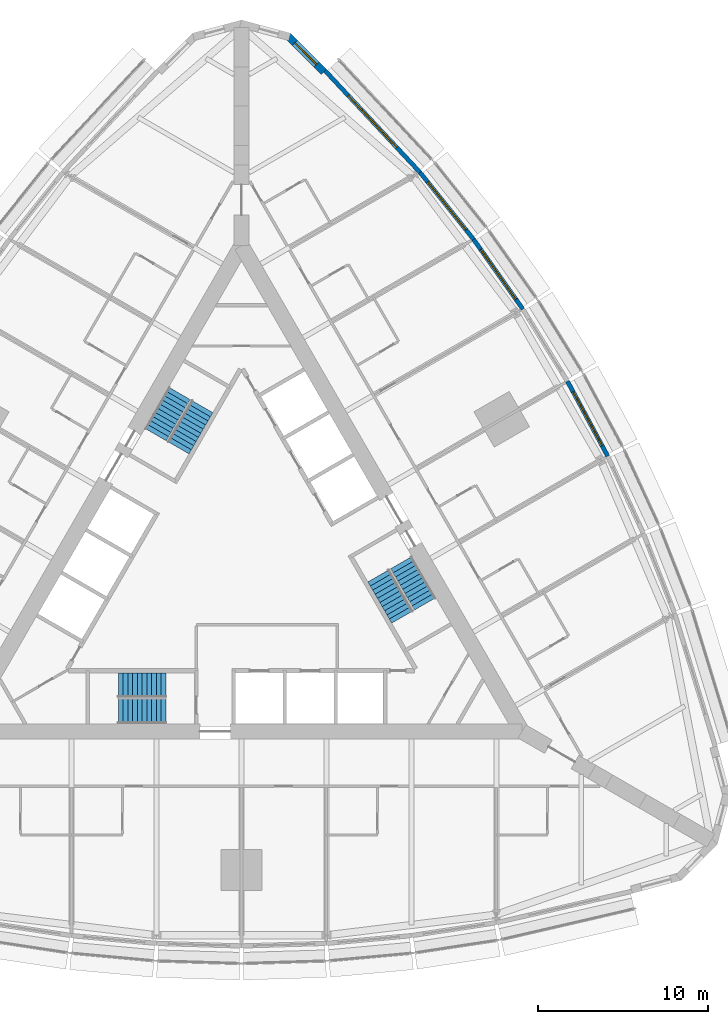
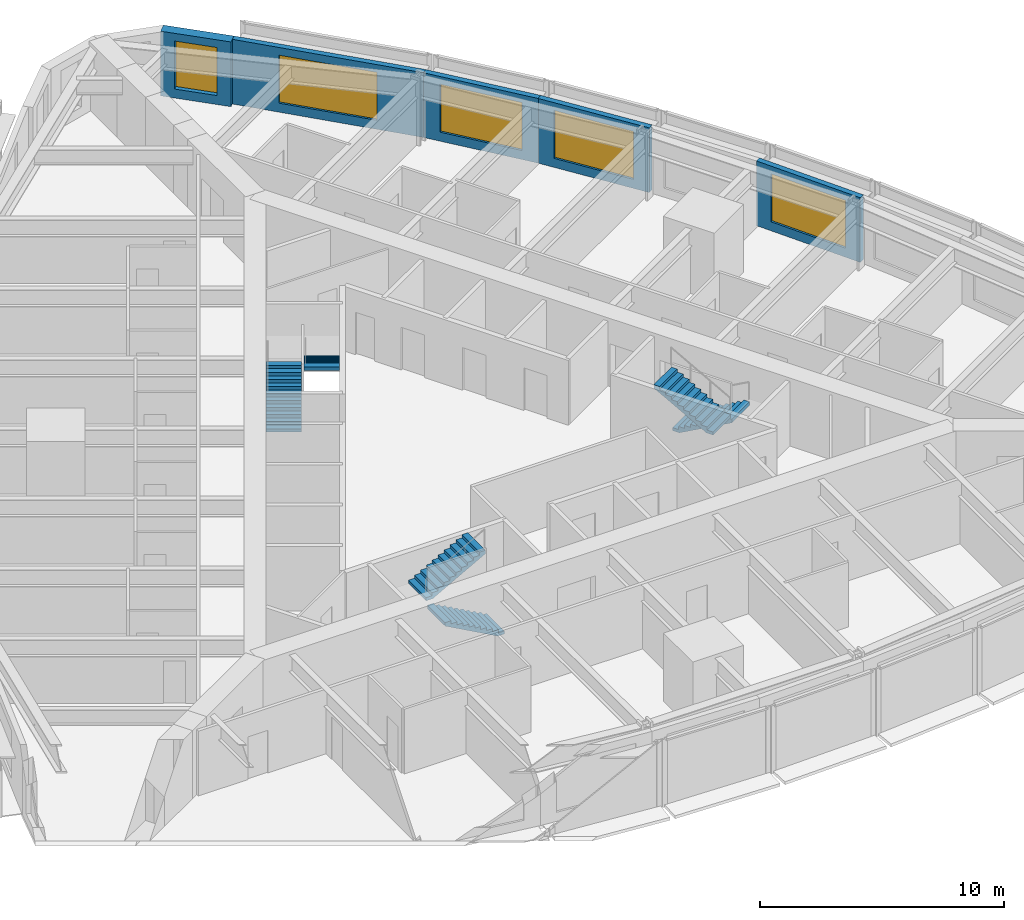
# One storey, part 13 of 14: 6 stair flights, 5 walls, 5 windows, 5 openings, 3 elements without a shape of their own.
"""IFC4 building model written with IfcOpenShell, lengths in metres."""

import ifcopenshell
import ifcopenshell.guid

model = None  # the IFC model being written
_history = None  # IfcOwnerHistory: only IFC2X3 demands one
_inside = {}  # id of a spatial element -> (the spatial element, [elements in it])
_under = {}  # id of a project, library or spatial element -> (it, [spatial elements below it])
_declared = {}  # id of a project -> (the project, [libraries it declares])
_typed = {}  # id of a type object -> (the type object, [elements of that type])
_made_of = {}  # id of a material, layer set ... -> (it, [elements and type objects made of it])


def new_model(schema):
    """Start an empty IFC model of exactly this schema.

    Asked for "IFC4X3", IfcOpenShell would pick the latest addendum, in which some entities
    have other attributes; the version numbers below select the first issue.
    IFC2X3 requires an IfcOwnerHistory on every rooted entity: one is made here for all.
    """
    global model, _history
    if schema == "IFC4X3":
        model = ifcopenshell.file(schema_version=(4, 3, 0, 0))
    else:
        model = ifcopenshell.file(schema=schema)
    _inside.clear()
    _under.clear()
    _declared.clear()
    _typed.clear()
    _made_of.clear()
    _history = None
    if model.schema == "IFC2X3":
        org = make("IfcOrganization", Name="unknown")
        user = make(
            "IfcPersonAndOrganization",
            ThePerson=make("IfcPerson", FamilyName="unknown"),
            TheOrganization=org,
        )
        app = make(
            "IfcApplication",
            ApplicationDeveloper=org,
            Version="unknown",
            ApplicationFullName="unknown",
            ApplicationIdentifier="unknown",
        )
        _history = make(
            "IfcOwnerHistory",
            OwningUser=user,
            OwningApplication=app,
            ChangeAction="ADDED",
            CreationDate=0,
        )
    return model


def make(cls, **values):
    """One entity of the class cls with the attributes given. An attribute that is None is left unset."""
    return model.create_entity(
        cls, **{name: value for name, value in values.items() if value is not None}
    )


def rooted(cls, **values):
    """An entity with a GlobalId (a new one), such as an element, a storey or a relation."""
    return make(cls, GlobalId=ifcopenshell.guid.new(), OwnerHistory=_history, **values)


def si_unit(unit_type, name, prefix=None):
    """IfcSIUnit, for example si_unit("LENGTHUNIT", "METRE", prefix="MILLI")."""
    return make("IfcSIUnit", UnitType=unit_type, Prefix=prefix, Name=name)


def assignment(units):
    """IfcUnitAssignment: the units of a project."""
    return None if units is None else make("IfcUnitAssignment", Units=units)


def point(xyz):
    """IfcCartesianPoint."""
    return None if xyz is None else make("IfcCartesianPoint", Coordinates=xyz)


def direction(xyz):
    """IfcDirection."""
    return None if xyz is None else make("IfcDirection", DirectionRatios=xyz)


def frame(location, z_axis=None, x_axis=None):
    """IfcAxis2Placement3D, a coordinate frame: its origin and axes. An axis left out is left unset."""
    return make(
        "IfcAxis2Placement3D",
        Location=point(location),
        Axis=direction(z_axis),
        RefDirection=direction(x_axis),
    )


def frame_2d(location, x_axis=None):
    """IfcAxis2Placement2D, a coordinate frame in the plane: its origin and x axis."""
    return make(
        "IfcAxis2Placement2D", Location=point(location), RefDirection=direction(x_axis)
    )


def origin():
    """The frame at (0, 0, 0) with its axes left unset."""
    return frame((0.0, 0.0, 0.0))


def place(relative_to, where):
    """IfcLocalPlacement: puts the frame where relative to a parent placement (None: the world)."""
    return make(
        "IfcLocalPlacement", PlacementRelTo=relative_to, RelativePlacement=where
    )


def context(
    kind, dimensions, precision=None, world=None, true_north=None, identifier=None
):
    """IfcGeometricRepresentationContext, for example the 3D "Model" context."""
    return make(
        "IfcGeometricRepresentationContext",
        ContextIdentifier=identifier,
        ContextType=kind,
        CoordinateSpaceDimension=dimensions,
        Precision=precision,
        WorldCoordinateSystem=world,
        TrueNorth=true_north,
    )


def subcontext(parent, identifier, kind, view, scale=None):
    """IfcGeometricRepresentationSubContext, for example "Body" below "Model"."""
    return make(
        "IfcGeometricRepresentationSubContext",
        ContextIdentifier=identifier,
        ContextType=kind,
        ParentContext=parent,
        TargetScale=scale,
        TargetView=view,
    )


def project(units=None, contexts=None):
    """IfcProject with its units and contexts."""
    return rooted(
        "IfcProject",
        Name="project",
        RepresentationContexts=contexts,
        UnitsInContext=assignment(units),
    )


def spatial(cls, under=None, at=None, **own):
    """A site, building, storey or space (cls), placed at a placement, below another one or the project."""
    s = rooted(cls, ObjectPlacement=at, **own)
    if under is not None:
        _under.setdefault(under.id(), (under, []))[1].append(s)
    return s


def polyline(points):
    """IfcPolyline through the points."""
    return make("IfcPolyline", Points=[point(p) for p in points])


def profile(cls, at=None, kind="AREA", **sizes):
    """A parametric profile (cls). Its sizes go by their IFC names, for example OverallWidth=200.0."""
    return make(cls, ProfileType=kind, Position=at, **sizes)


def rectangle(**sizes):
    """IfcRectangleProfileDef."""
    return profile("IfcRectangleProfileDef", **sizes)


def outline(outer, holes=None, kind="AREA"):
    """IfcArbitraryClosedProfileDef: a profile drawn as a closed curve; with holes, ...WithVoids."""
    if holes is None:
        return make("IfcArbitraryClosedProfileDef", ProfileType=kind, OuterCurve=outer)
    return make(
        "IfcArbitraryProfileDefWithVoids",
        ProfileType=kind,
        OuterCurve=outer,
        InnerCurves=holes,
    )


def extrude(swept, where, along, depth):
    """IfcExtrudedAreaSolid: the profile swept, set in the frame where, extruded along a direction by depth."""
    return make(
        "IfcExtrudedAreaSolid",
        SweptArea=swept,
        Position=where,
        ExtrudedDirection=direction(along),
        Depth=depth,
    )


def shape(context_of_items, identifier, shape_type, items):
    """IfcShapeRepresentation: the items that make up one representation, for example the "Body"."""
    return make(
        "IfcShapeRepresentation",
        ContextOfItems=context_of_items,
        RepresentationIdentifier=identifier,
        RepresentationType=shape_type,
        Items=items,
    )


def material(Name=None, Category=None):
    """IfcMaterial."""
    return make("IfcMaterial", Name=Name, Category=Category)


def layer(
    of_material, thickness, ventilated=None, Name=None, Category=None, Priority=None
):
    """IfcMaterialLayer: one layer of a wall or slab, of a material (None: an air gap)."""
    return make(
        "IfcMaterialLayer",
        Material=of_material,
        LayerThickness=thickness,
        IsVentilated=ventilated,
        Name=Name,
        Category=Category,
        Priority=Priority,
    )


def layer_set(layers, Name=None):
    """IfcMaterialLayerSet."""
    return make("IfcMaterialLayerSet", MaterialLayers=layers, LayerSetName=Name)


def made_of(thing, what):
    """Note that an element or type object is made of a material, layer set ...; save() writes the relation."""
    if what is not None:
        _made_of.setdefault(what.id(), (what, []))[1].append(thing)
    return thing


def type_object(cls, material=None, **own):
    """A type object (cls), such as IfcWallType, which elements share."""
    return made_of(rooted(cls, **own), material)


def element(
    cls,
    number,
    at=None,
    inside=None,
    cuts=None,
    type_object=None,
    material=None,
    context=None,
    identifier="Body",
    shape_type=None,
    held_by="IfcProductDefinitionShape",
    body=None,
    shapes=None,
    **own,
):
    """One element of the class cls, such as IfcWall. Its Tag is "e" and its number.

    at: its placement. inside: the storey or other place that contains it. cuts: it is an
    opening in that element (IfcRelVoidsElement). A single representation is given by context,
    identifier, shape_type and body (its items); several are given by shapes. held_by: the class
    of the entity that holds the representations. save() writes the other relations.
    """
    e = rooted(cls, Tag="e%d" % number, ObjectPlacement=at, **own)
    if body is not None:
        shapes = [shape(context, identifier, shape_type, body)]
    if shapes is not None:
        e.Representation = make(held_by, Representations=shapes)
    if inside is not None:
        _inside.setdefault(inside.id(), (inside, []))[1].append(e)
    if cuts is not None:
        rooted(
            "IfcRelVoidsElement", RelatingBuildingElement=cuts, RelatedOpeningElement=e
        )
    if type_object is not None:
        _typed.setdefault(type_object.id(), (type_object, []))[1].append(e)
    return made_of(e, material)


def fill(opening, filler):
    """IfcRelFillsElement: the door or window that sits in an opening."""
    return rooted(
        "IfcRelFillsElement",
        RelatingOpeningElement=opening,
        RelatedBuildingElement=filler,
    )


def aggregate(whole, parts):
    """IfcRelAggregates: a whole, such as a stair, and the parts it consists of."""
    return rooted("IfcRelAggregates", RelatingObject=whole, RelatedObjects=parts)


def save(model, path):
    """Write the relations noted so far, then the file.

    IfcRelAggregates (storeys below a building ...), IfcRelContainedInSpatialStructure (elements
    in a storey), IfcRelDefinesByType, IfcRelAssociatesMaterial and IfcRelDeclares: one each for
    every whole, place, type object, material and project.
    """
    for whole, parts in _under.values():
        aggregate(whole, parts)
    for where, things in _inside.values():
        rooted(
            "IfcRelContainedInSpatialStructure",
            RelatedElements=things,
            RelatingStructure=where,
        )
    for kind, things in _typed.values():
        rooted("IfcRelDefinesByType", RelatedObjects=things, RelatingType=kind)
    for what, things in _made_of.values():
        rooted("IfcRelAssociatesMaterial", RelatedObjects=things, RelatingMaterial=what)
    for by, libraries in _declared.values():
        rooted("IfcRelDeclares", RelatingContext=by, RelatedDefinitions=libraries)
    model.write(path)


model = new_model("IFC4")

# Units and contexts
model_context = context("Model", 3, precision=1e-05, world=origin(), true_north=direction((0.0, 1.0)))
body_context = subcontext(model_context, "Body", "Model", "MODEL_VIEW")
ifc_project = project(units=[si_unit("LENGTHUNIT", "METRE"), si_unit("AREAUNIT", "SQUARE_METRE"), si_unit("VOLUMEUNIT", "CUBIC_METRE"), si_unit("PLANEANGLEUNIT", "RADIAN"), si_unit("MASSUNIT", "GRAM", prefix="KILO")], contexts=[model_context])

# Site, building, storey
site_placement = place(None, origin())
site = spatial("IfcSite", under=ifc_project, at=site_placement, CompositionType="ELEMENT")
building_placement = place(site_placement, origin())
building = spatial("IfcBuilding", under=site, at=building_placement, Name="Trikona Tower", CompositionType="ELEMENT")
storey_placement = place(building_placement, frame((0.0, 0.0, 52.300048828125)))
storey = spatial("IfcBuildingStorey", under=building, at=storey_placement, Name="L12", CompositionType="ELEMENT", Elevation=52.300048828125)

# Wall, opening, window
ifc_material_1 = material(Name="Brick-faced precast concrete", Category="masonry")
ifc_layer_1 = layer(ifc_material_1, 0.449951171875)
ifc_layer_set_1 = layer_set([ifc_layer_1], Name="Brick-faced corner wall 450")
wall_type_1 = type_object("IfcWallType", Name="Brick-faced corner wall 450", PredefinedType="SOLIDWALL", material=ifc_layer_set_1)
wall_1_placement = place(storey_placement, frame((4.8408203125, 29.285888671875, 0.0), z_axis=(0.0, 0.0, 1.0), x_axis=(-0.707106781187, 0.707106781187, 0.0)))
wall_1 = element("IfcWall", 1, at=wall_1_placement, inside=storey, type_object=wall_type_1, Name="External wall L12-20", PredefinedType="SOLIDWALL", context=body_context, shape_type="SweptSolid", body=[
    extrude(rectangle(XDim=2.98828125, YDim=0.449951171875, at=frame_2d((1.494140625, 0.0))), origin(), (0.0, 0.0, 1.0), 3.23486328125),
])
opening_1_placement = place(wall_1_placement, frame((0.59423828125, 0.0, 0.449951171875)))
opening_1 = element("IfcOpeningElement", 2, at=opening_1_placement, cuts=wall_1, Name="Opening W1824", PredefinedType="OPENING", context=body_context, shape_type="SweptSolid", body=[
    extrude(rectangle(XDim=1.800048828125, YDim=2.39990234375, at=frame_2d((0.89990234375, 1.199951171875))), frame((0.0, 0.23486328125, 0.0), z_axis=(0.0, -1.0, 0.0), x_axis=(1.0, 0.0, 0.0)), (0.0, 0.0, 1.0), 0.469970703125),
])
ifc_material_2 = material(Name="Aluminium-framed double glazing", Category="aluminium")
window_type_1 = type_object("IfcWindowType", Name="Window 1800x2400", PartitioningType="SINGLE_PANEL", PredefinedType="WINDOW", material=ifc_material_2)
window_1_placement = place(opening_1_placement, origin())
window_1 = element("IfcWindow", 3, at=window_1_placement, inside=storey, type_object=window_type_1, Name="Window 1210", OverallHeight=2.39990234375, OverallWidth=1.800048828125, PartitioningType="SINGLE_PANEL", PredefinedType="WINDOW", context=body_context, shape_type="SweptSolid", body=[
    extrude(rectangle(XDim=1.800048828125, YDim=2.39990234375, at=frame_2d((0.89990234375, 1.199951171875))), frame((0.0, 0.030029296875, 0.0), z_axis=(0.0, -1.0, 0.0), x_axis=(1.0, 0.0, 0.0)), (0.0, 0.0, 1.0), 0.06005859375),
])
fill(opening_1, window_1)

ifc_material_3 = material(Name="Insulated precast concrete spandrel panel", Category="concrete")
ifc_layer_2 = layer(ifc_material_3, 0.25)
ifc_layer_set_2 = layer_set([ifc_layer_2], Name="Inner skin wall 250")
wall_type_2 = type_object("IfcWallType", Name="Inner skin wall 250", PredefinedType="STANDARD", material=ifc_layer_set_2)
wall_2_placement = place(storey_placement, frame((21.546630859375, 6.6708984375, 0.0), z_axis=(0.0, 0.0, 1.0), x_axis=(-0.473412820489, 0.880840678782, 0.0)))
wall_2 = element("IfcWall", 4, at=wall_2_placement, inside=storey, type_object=wall_type_2, Name="External wall L12-15", PredefinedType="STANDARD", context=body_context, shape_type="SweptSolid", body=[
    extrude(rectangle(XDim=5.00244140625, YDim=0.25, at=frame_2d((2.501220703125, 0.0))), origin(), (0.0, 0.0, 1.0), 3.23486328125),
])
opening_2_placement = place(wall_2_placement, frame((0.701171875, 0.0, 0.449951171875)))
opening_2 = element("IfcOpeningElement", 5, at=opening_2_placement, cuts=wall_2, Name="Opening W3624", PredefinedType="OPENING", context=body_context, shape_type="SweptSolid", body=[
    extrude(rectangle(XDim=3.60009765625, YDim=2.39990234375, at=frame_2d((1.800048828125, 1.199951171875))), frame((0.0, 0.135009765625, 0.0), z_axis=(0.0, -1.0, 0.0), x_axis=(1.0, 0.0, 0.0)), (0.0, 0.0, 1.0), 0.27001953125),
])
ifc_material_4 = material(Name="Aluminium-framed double glazing", Category="aluminium")
window_type_2 = type_object("IfcWindowType", Name="Window 3600x2400", PartitioningType="SINGLE_PANEL", PredefinedType="WINDOW", material=ifc_material_4)
window_2_placement = place(opening_2_placement, origin())
window_2 = element("IfcWindow", 6, at=window_2_placement, inside=storey, type_object=window_type_2, Name="Window 1207", OverallHeight=2.39990234375, OverallWidth=3.60009765625, PartitioningType="SINGLE_PANEL", PredefinedType="WINDOW", context=body_context, shape_type="SweptSolid", body=[
    extrude(rectangle(XDim=3.60009765625, YDim=2.39990234375, at=frame_2d((1.800048828125, 1.199951171875))), frame((0.0, 0.030029296875, 0.0), z_axis=(0.0, -1.0, 0.0), x_axis=(1.0, 0.0, 0.0)), (0.0, 0.0, 1.0), 0.06005859375),
])
fill(opening_2, window_2)

wall_3_placement = place(storey_placement, frame((16.5546875, 15.318115234375, 0.0), z_axis=(0.0, 0.0, 1.0), x_axis=(-0.5766431066, 0.81699616132, 0.0)))
wall_3 = element("IfcWall", 7, at=wall_3_placement, inside=storey, type_object=wall_type_2, Name="External wall L12-17", PredefinedType="STANDARD", context=body_context, shape_type="SweptSolid", body=[
    extrude(rectangle(XDim=5.02099609375, YDim=0.25, at=frame_2d((2.510498046875, 0.0))), origin(), (0.0, 0.0, 1.0), 3.23486328125),
])
opening_3_placement = place(wall_3_placement, frame((0.71044921875, 0.0, 0.449951171875)))
opening_3 = element("IfcOpeningElement", 8, at=opening_3_placement, cuts=wall_3, Name="Opening W3624", PredefinedType="OPENING", context=body_context, shape_type="SweptSolid", body=[
    extrude(rectangle(XDim=3.60009765625, YDim=2.39990234375, at=frame_2d((1.800048828125, 1.199951171875))), frame((0.0, 0.135009765625, 0.0), z_axis=(0.0, -1.0, 0.0), x_axis=(1.0, 0.0, 0.0)), (0.0, 0.0, 1.0), 0.27001953125),
])
window_3_placement = place(opening_3_placement, origin())
window_3 = element("IfcWindow", 9, at=window_3_placement, inside=storey, type_object=window_type_2, Name="Window 1208.1", OverallHeight=2.39990234375, OverallWidth=3.60009765625, PartitioningType="SINGLE_PANEL", PredefinedType="WINDOW", context=body_context, shape_type="SweptSolid", body=[
    extrude(rectangle(XDim=3.60009765625, YDim=2.39990234375, at=frame_2d((1.800048828125, 1.199951171875))), frame((0.0, 0.030029296875, 0.0), z_axis=(0.0, -1.0, 0.0), x_axis=(1.0, 0.0, 0.0)), (0.0, 0.0, 1.0), 0.06005859375),
])
fill(opening_3, window_3)

wall_4_placement = place(storey_placement, frame((13.663818359375, 19.4140625, 0.0), z_axis=(0.0, 0.0, 1.0), x_axis=(-0.624594965756, 0.780948864364, 0.0)))
wall_4 = element("IfcWall", 10, at=wall_4_placement, inside=storey, type_object=wall_type_2, Name="External wall L12-18", PredefinedType="STANDARD", context=body_context, shape_type="SweptSolid", body=[
    extrude(rectangle(XDim=5.0576171875, YDim=0.25, at=frame_2d((2.52880859375, 0.0))), origin(), (0.0, 0.0, 1.0), 3.23486328125),
])
opening_4_placement = place(wall_4_placement, frame((0.728759765625, 0.0, 0.449951171875)))
opening_4 = element("IfcOpeningElement", 11, at=opening_4_placement, cuts=wall_4, Name="Opening W3624", PredefinedType="OPENING", context=body_context, shape_type="SweptSolid", body=[
    extrude(rectangle(XDim=3.60009765625, YDim=2.39990234375, at=frame_2d((1.800048828125, 1.199951171875))), frame((0.0, 0.135009765625, 0.0), z_axis=(0.0, -1.0, 0.0), x_axis=(1.0, 0.0, 0.0)), (0.0, 0.0, 1.0), 0.27001953125),
])
window_4_placement = place(opening_4_placement, origin())
window_4 = element("IfcWindow", 12, at=window_4_placement, inside=storey, type_object=window_type_2, Name="Window 1209", OverallHeight=2.39990234375, OverallWidth=3.60009765625, PartitioningType="SINGLE_PANEL", PredefinedType="WINDOW", context=body_context, shape_type="SweptSolid", body=[
    extrude(rectangle(XDim=3.60009765625, YDim=2.39990234375, at=frame_2d((1.800048828125, 1.199951171875))), frame((0.0, 0.030029296875, 0.0), z_axis=(0.0, -1.0, 0.0), x_axis=(1.0, 0.0, 0.0)), (0.0, 0.0, 1.0), 0.06005859375),
])
fill(opening_4, window_4)

wall_5_placement = place(storey_placement, frame((10.510986328125, 23.356689453125, 0.0), z_axis=(0.0, 0.0, 1.0), x_axis=(-0.682289646561, 0.731081964075, 0.0)))
wall_5 = element("IfcWall", 13, at=wall_5_placement, inside=storey, type_object=wall_type_2, Name="External wall L12-19", PredefinedType="STANDARD", context=body_context, shape_type="SweptSolid", body=[
    extrude(rectangle(XDim=8.2109375, YDim=0.25, at=frame_2d((4.10546875, 0.0))), origin(), (0.0, 0.0, 1.0), 3.23486328125),
])
opening_5_placement = place(wall_5_placement, frame((2.005615234375, 0.0, 0.449951171875)))
opening_5 = element("IfcOpeningElement", 14, at=opening_5_placement, cuts=wall_5, Name="Opening W4224", PredefinedType="OPENING", context=body_context, shape_type="SweptSolid", body=[
    extrude(rectangle(XDim=4.199951171875, YDim=2.39990234375, at=frame_2d((2.10009765625, 1.199951171875))), frame((0.0, 0.135009765625, 0.0), z_axis=(0.0, -1.0, 0.0), x_axis=(1.0, 0.0, 0.0)), (0.0, 0.0, 1.0), 0.27001953125),
])
ifc_material_5 = material(Name="Aluminium-framed double glazing", Category="aluminium")
window_type_3 = type_object("IfcWindowType", Name="Window 4200x2400", PartitioningType="SINGLE_PANEL", PredefinedType="WINDOW", material=ifc_material_5)
window_5_placement = place(opening_5_placement, origin())
window_5 = element("IfcWindow", 15, at=window_5_placement, inside=storey, type_object=window_type_3, Name="Window 1210", OverallHeight=2.39990234375, OverallWidth=4.199951171875, PartitioningType="SINGLE_PANEL", PredefinedType="WINDOW", context=body_context, shape_type="SweptSolid", body=[
    extrude(rectangle(XDim=4.199951171875, YDim=2.39990234375, at=frame_2d((2.10009765625, 1.199951171875))), frame((0.0, 0.030029296875, 0.0), z_axis=(0.0, -1.0, 0.0), x_axis=(1.0, 0.0, 0.0)), (0.0, 0.0, 1.0), 0.06005859375),
])
fill(opening_5, window_5)

# Stair, stair flights
ifc_material_6 = material(Name="Concrete f'c 5000 psi", Category="concrete")
stair_type = type_object("IfcStairType", Name="Core stair", PredefinedType="HALF_TURN_STAIR", material=ifc_material_6)
stair_1_placement = place(storey_placement, origin())
stair_1 = element("IfcStair", 16, at=stair_1_placement, inside=storey, type_object=stair_type, Name="Stair A L12", PredefinedType="HALF_TURN_STAIR")
ifc_material_7 = material(Name="Concrete f'c 5000 psi", Category="concrete")
stair_flight_type = type_object("IfcStairFlightType", Name="Core stair flight 1450", PredefinedType="STRAIGHT", material=ifc_material_7)
stair_flight_1_placement = place(storey_placement, frame((-4.449951171875, -8.351318359375, 0.0), z_axis=(0.0, 0.0, 1.0), x_axis=(-1.0, 0.0, 0.0)))
stair_flight_1 = element("IfcStairFlight", 17, at=stair_flight_1_placement, type_object=stair_flight_type, Name="ST-A flight 1", NumberOfRisers=11, NumberOfTreads=10, PredefinedType="STRAIGHT", RiserHeight=0.154545, TreadLength=0.28, context=body_context, shape_type="SweptSolid", body=[
    extrude(outline(polyline([(0.0, 0.0), (0.0, 0.154541015625), (0.280029296875, 0.154541015625), (0.280029296875, 0.30908203125), (0.56005859375, 0.30908203125), (0.56005859375, 0.463623046875), (0.840087890625, 0.463623046875), (0.840087890625, 0.6181640625), (1.1201171875, 0.6181640625), (1.1201171875, 0.772705078125), (1.39990234375, 0.772705078125), (1.39990234375, 0.92724609375), (1.679931640625, 0.92724609375), (1.679931640625, 1.081787109375), (1.9599609375, 1.081787109375), (1.9599609375, 1.236328125), (2.239990234375, 1.236328125), (2.239990234375, 1.390869140625), (2.52001953125, 1.390869140625), (2.52001953125, 1.54541015625), (2.800048828125, 1.54541015625), (2.800048828125, 1.699951171875), (2.800048828125, 1.374267578125), (0.310302734375, 0.0), (0.0, 0.0)])), frame((0.0, 0.72509765625, 0.0), z_axis=(0.0, -1.0, 0.0), x_axis=(1.0, 0.0, 0.0)), (0.0, 0.0, 1.0), 1.449951171875),
])
stair_flight_2_placement = place(storey_placement, frame((-7.25, -6.80126953125, 1.699951171875), z_axis=(0.0, 0.0, 1.0), x_axis=(1.0, 0.0, 0.0)))
stair_flight_2 = element("IfcStairFlight", 18, at=stair_flight_2_placement, type_object=stair_flight_type, Name="ST-A flight 2", NumberOfRisers=11, NumberOfTreads=10, PredefinedType="STRAIGHT", RiserHeight=0.154545, TreadLength=0.28, context=body_context, shape_type="SweptSolid", body=[
    extrude(outline(polyline([(0.0, 0.0), (0.0, 0.154541015625), (0.280029296875, 0.154541015625), (0.280029296875, 0.30908203125), (0.56005859375, 0.30908203125), (0.56005859375, 0.463623046875), (0.840087890625, 0.463623046875), (0.840087890625, 0.6181640625), (1.1201171875, 0.6181640625), (1.1201171875, 0.772705078125), (1.39990234375, 0.772705078125), (1.39990234375, 0.92724609375), (1.679931640625, 0.92724609375), (1.679931640625, 1.081787109375), (1.9599609375, 1.081787109375), (1.9599609375, 1.236328125), (2.239990234375, 1.236328125), (2.239990234375, 1.390869140625), (2.52001953125, 1.390869140625), (2.52001953125, 1.54541015625), (2.800048828125, 1.54541015625), (2.800048828125, 1.699951171875), (2.800048828125, 1.374267578125), (0.310302734375, 0.0), (0.0, 0.0)])), frame((0.0, 0.72509765625, 0.0), z_axis=(0.0, -1.0, 0.0), x_axis=(1.0, 0.0, 0.0)), (0.0, 0.0, 1.0), 1.449951171875),
])
aggregate(stair_1, [stair_flight_1, stair_flight_2])

stair_2_placement = place(storey_placement, origin())
stair_2 = element("IfcStair", 19, at=stair_2_placement, inside=storey, type_object=stair_type, Name="Stair B L12", PredefinedType="HALF_TURN_STAIR")
stair_flight_3_placement = place(storey_placement, frame((9.407470703125, 0.408447265625, 0.0), z_axis=(0.0, 0.0, 1.0), x_axis=(0.5, -0.866025403784, 0.0)))
stair_flight_3 = element("IfcStairFlight", 20, at=stair_flight_3_placement, type_object=stair_flight_type, Name="ST-B flight 1", NumberOfRisers=11, NumberOfTreads=10, PredefinedType="STRAIGHT", RiserHeight=0.154545, TreadLength=0.28, context=body_context, shape_type="SweptSolid", body=[
    extrude(outline(polyline([(0.0, 0.0), (0.0, 0.154541015625), (0.280029296875, 0.154541015625), (0.280029296875, 0.30908203125), (0.56005859375, 0.30908203125), (0.56005859375, 0.463623046875), (0.840087890625, 0.463623046875), (0.840087890625, 0.6181640625), (1.1201171875, 0.6181640625), (1.1201171875, 0.772705078125), (1.39990234375, 0.772705078125), (1.39990234375, 0.92724609375), (1.679931640625, 0.92724609375), (1.679931640625, 1.081787109375), (1.9599609375, 1.081787109375), (1.9599609375, 1.236328125), (2.239990234375, 1.236328125), (2.239990234375, 1.390869140625), (2.52001953125, 1.390869140625), (2.52001953125, 1.54541015625), (2.800048828125, 1.54541015625), (2.800048828125, 1.699951171875), (2.800048828125, 1.374267578125), (0.310302734375, 0.0), (0.0, 0.0)])), frame((0.0, 0.72509765625, 0.0), z_axis=(0.0, -1.0, 0.0), x_axis=(1.0, 0.0, 0.0)), (0.0, 0.0, 1.0), 1.449951171875),
])
stair_flight_4_placement = place(storey_placement, frame((9.465087890625, -2.79150390625, 1.699951171875), z_axis=(0.0, 0.0, 1.0), x_axis=(-0.5, 0.866025403784, 0.0)))
stair_flight_4 = element("IfcStairFlight", 21, at=stair_flight_4_placement, type_object=stair_flight_type, Name="ST-B flight 2", NumberOfRisers=11, NumberOfTreads=10, PredefinedType="STRAIGHT", RiserHeight=0.154545, TreadLength=0.28, context=body_context, shape_type="SweptSolid", body=[
    extrude(outline(polyline([(0.0, 0.0), (0.0, 0.154541015625), (0.280029296875, 0.154541015625), (0.280029296875, 0.30908203125), (0.56005859375, 0.30908203125), (0.56005859375, 0.463623046875), (0.840087890625, 0.463623046875), (0.840087890625, 0.6181640625), (1.1201171875, 0.6181640625), (1.1201171875, 0.772705078125), (1.39990234375, 0.772705078125), (1.39990234375, 0.92724609375), (1.679931640625, 0.92724609375), (1.679931640625, 1.081787109375), (1.9599609375, 1.081787109375), (1.9599609375, 1.236328125), (2.239990234375, 1.236328125), (2.239990234375, 1.390869140625), (2.52001953125, 1.390869140625), (2.52001953125, 1.54541015625), (2.800048828125, 1.54541015625), (2.800048828125, 1.699951171875), (2.800048828125, 1.374267578125), (0.310302734375, 0.0), (0.0, 0.0)])), frame((0.0, 0.72509765625, 0.0), z_axis=(0.0, -1.0, 0.0), x_axis=(1.0, 0.0, 0.0)), (0.0, 0.0, 1.0), 1.449951171875),
])
aggregate(stair_2, [stair_flight_3, stair_flight_4])

stair_3_placement = place(storey_placement, origin())
stair_3 = element("IfcStair", 22, at=stair_3_placement, inside=storey, type_object=stair_type, Name="Stair C L12", PredefinedType="HALF_TURN_STAIR")
stair_flight_5_placement = place(storey_placement, frame((-5.057373046875, 7.94287109375, 0.0), z_axis=(0.0, 0.0, 1.0), x_axis=(0.5, 0.866025403784, 0.0)))
stair_flight_5 = element("IfcStairFlight", 23, at=stair_flight_5_placement, type_object=stair_flight_type, Name="ST-C flight 1", NumberOfRisers=11, NumberOfTreads=10, PredefinedType="STRAIGHT", RiserHeight=0.154545, TreadLength=0.28, context=body_context, shape_type="SweptSolid", body=[
    extrude(outline(polyline([(0.0, 0.0), (0.0, 0.154541015625), (0.280029296875, 0.154541015625), (0.280029296875, 0.30908203125), (0.56005859375, 0.30908203125), (0.56005859375, 0.463623046875), (0.840087890625, 0.463623046875), (0.840087890625, 0.6181640625), (1.1201171875, 0.6181640625), (1.1201171875, 0.772705078125), (1.39990234375, 0.772705078125), (1.39990234375, 0.92724609375), (1.679931640625, 0.92724609375), (1.679931640625, 1.081787109375), (1.9599609375, 1.081787109375), (1.9599609375, 1.236328125), (2.239990234375, 1.236328125), (2.239990234375, 1.390869140625), (2.52001953125, 1.390869140625), (2.52001953125, 1.54541015625), (2.800048828125, 1.54541015625), (2.800048828125, 1.699951171875), (2.800048828125, 1.374267578125), (0.310302734375, 0.0), (0.0, 0.0)])), frame((0.0, 0.72509765625, 0.0), z_axis=(0.0, -1.0, 0.0), x_axis=(1.0, 0.0, 0.0)), (0.0, 0.0, 1.0), 1.449951171875),
])
stair_flight_6_placement = place(storey_placement, frame((-2.315185546875, 9.5927734375, 1.699951171875), z_axis=(0.0, 0.0, 1.0), x_axis=(-0.5, -0.866025403784, 0.0)))
stair_flight_6 = element("IfcStairFlight", 24, at=stair_flight_6_placement, type_object=stair_flight_type, Name="ST-C flight 2", NumberOfRisers=11, NumberOfTreads=10, PredefinedType="STRAIGHT", RiserHeight=0.154545, TreadLength=0.28, context=body_context, shape_type="SweptSolid", body=[
    extrude(outline(polyline([(0.0, 0.0), (0.0, 0.154541015625), (0.280029296875, 0.154541015625), (0.280029296875, 0.30908203125), (0.56005859375, 0.30908203125), (0.56005859375, 0.463623046875), (0.840087890625, 0.463623046875), (0.840087890625, 0.6181640625), (1.1201171875, 0.6181640625), (1.1201171875, 0.772705078125), (1.39990234375, 0.772705078125), (1.39990234375, 0.92724609375), (1.679931640625, 0.92724609375), (1.679931640625, 1.081787109375), (1.9599609375, 1.081787109375), (1.9599609375, 1.236328125), (2.239990234375, 1.236328125), (2.239990234375, 1.390869140625), (2.52001953125, 1.390869140625), (2.52001953125, 1.54541015625), (2.800048828125, 1.54541015625), (2.800048828125, 1.699951171875), (2.800048828125, 1.374267578125), (0.310302734375, 0.0), (0.0, 0.0)])), frame((0.0, 0.72509765625, 0.0), z_axis=(0.0, -1.0, 0.0), x_axis=(1.0, 0.0, 0.0)), (0.0, 0.0, 1.0), 1.449951171875),
])
aggregate(stair_3, [stair_flight_5, stair_flight_6])

save(model, "model.ifc")
